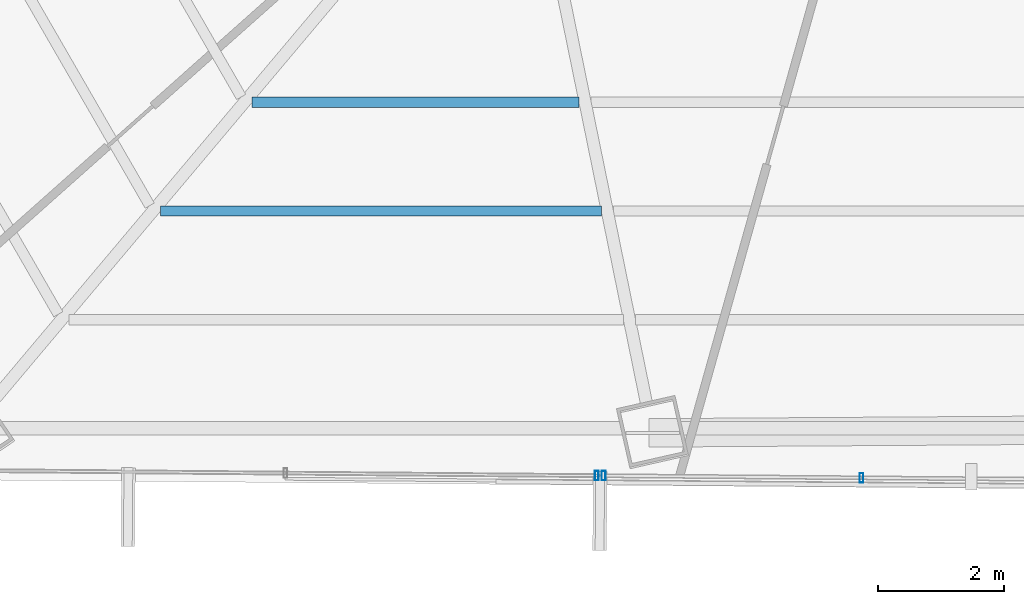
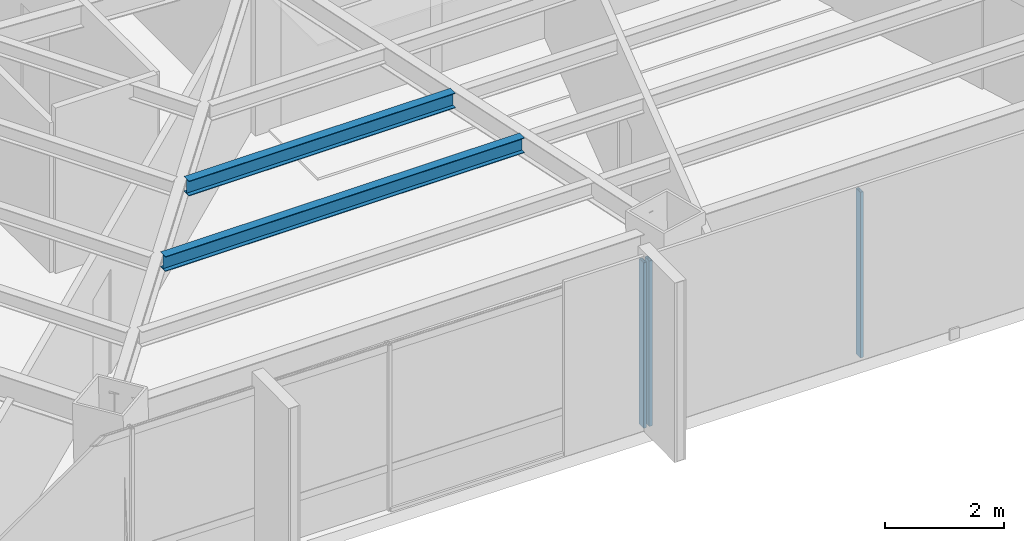
# One storey, part 8 of 39: 3 members, 2 beams, 2 elements without a shape of their own.
"""IFC4 building model written with IfcOpenShell, lengths in metres."""

import ifcopenshell
import ifcopenshell.guid

model = None  # the IFC model being written
_history = None  # IfcOwnerHistory: only IFC2X3 demands one
_inside = {}  # id of a spatial element -> (the spatial element, [elements in it])
_under = {}  # id of a project, library or spatial element -> (it, [spatial elements below it])
_declared = {}  # id of a project -> (the project, [libraries it declares])
_typed = {}  # id of a type object -> (the type object, [elements of that type])
_made_of = {}  # id of a material, layer set ... -> (it, [elements and type objects made of it])


def new_model(schema):
    """Start an empty IFC model of exactly this schema.

    Asked for "IFC4X3", IfcOpenShell would pick the latest addendum, in which some entities
    have other attributes; the version numbers below select the first issue.
    IFC2X3 requires an IfcOwnerHistory on every rooted entity: one is made here for all.
    """
    global model, _history
    if schema == "IFC4X3":
        model = ifcopenshell.file(schema_version=(4, 3, 0, 0))
    else:
        model = ifcopenshell.file(schema=schema)
    _inside.clear()
    _under.clear()
    _declared.clear()
    _typed.clear()
    _made_of.clear()
    _history = None
    if model.schema == "IFC2X3":
        org = make("IfcOrganization", Name="unknown")
        user = make(
            "IfcPersonAndOrganization",
            ThePerson=make("IfcPerson", FamilyName="unknown"),
            TheOrganization=org,
        )
        app = make(
            "IfcApplication",
            ApplicationDeveloper=org,
            Version="unknown",
            ApplicationFullName="unknown",
            ApplicationIdentifier="unknown",
        )
        _history = make(
            "IfcOwnerHistory",
            OwningUser=user,
            OwningApplication=app,
            ChangeAction="ADDED",
            CreationDate=0,
        )
    return model


def make(cls, **values):
    """One entity of the class cls with the attributes given. An attribute that is None is left unset."""
    return model.create_entity(
        cls, **{name: value for name, value in values.items() if value is not None}
    )


def rooted(cls, **values):
    """An entity with a GlobalId (a new one), such as an element, a storey or a relation."""
    return make(cls, GlobalId=ifcopenshell.guid.new(), OwnerHistory=_history, **values)


def si_unit(unit_type, name, prefix=None):
    """IfcSIUnit, for example si_unit("LENGTHUNIT", "METRE", prefix="MILLI")."""
    return make("IfcSIUnit", UnitType=unit_type, Prefix=prefix, Name=name)


def assignment(units):
    """IfcUnitAssignment: the units of a project."""
    return None if units is None else make("IfcUnitAssignment", Units=units)


def point(xyz):
    """IfcCartesianPoint."""
    return None if xyz is None else make("IfcCartesianPoint", Coordinates=xyz)


def direction(xyz):
    """IfcDirection."""
    return None if xyz is None else make("IfcDirection", DirectionRatios=xyz)


def frame(location, z_axis=None, x_axis=None):
    """IfcAxis2Placement3D, a coordinate frame: its origin and axes. An axis left out is left unset."""
    return make(
        "IfcAxis2Placement3D",
        Location=point(location),
        Axis=direction(z_axis),
        RefDirection=direction(x_axis),
    )


def frame_2d(location, x_axis=None):
    """IfcAxis2Placement2D, a coordinate frame in the plane: its origin and x axis."""
    return make(
        "IfcAxis2Placement2D", Location=point(location), RefDirection=direction(x_axis)
    )


def origin():
    """The frame at (0, 0, 0) with its axes left unset."""
    return frame((0.0, 0.0, 0.0))


def origin_2d():
    """The frame at (0, 0) in the plane with its x axis left unset."""
    return frame_2d((0.0, 0.0))


def place(relative_to, where):
    """IfcLocalPlacement: puts the frame where relative to a parent placement (None: the world)."""
    return make(
        "IfcLocalPlacement", PlacementRelTo=relative_to, RelativePlacement=where
    )


def context(
    kind, dimensions, precision=None, world=None, true_north=None, identifier=None
):
    """IfcGeometricRepresentationContext, for example the 3D "Model" context."""
    return make(
        "IfcGeometricRepresentationContext",
        ContextIdentifier=identifier,
        ContextType=kind,
        CoordinateSpaceDimension=dimensions,
        Precision=precision,
        WorldCoordinateSystem=world,
        TrueNorth=true_north,
    )


def subcontext(parent, identifier, kind, view, scale=None):
    """IfcGeometricRepresentationSubContext, for example "Body" below "Model"."""
    return make(
        "IfcGeometricRepresentationSubContext",
        ContextIdentifier=identifier,
        ContextType=kind,
        ParentContext=parent,
        TargetScale=scale,
        TargetView=view,
    )


def project(units=None, contexts=None):
    """IfcProject with its units and contexts."""
    return rooted(
        "IfcProject",
        Name="project",
        RepresentationContexts=contexts,
        UnitsInContext=assignment(units),
    )


def spatial(cls, under=None, at=None, **own):
    """A site, building, storey or space (cls), placed at a placement, below another one or the project."""
    s = rooted(cls, ObjectPlacement=at, **own)
    if under is not None:
        _under.setdefault(under.id(), (under, []))[1].append(s)
    return s


def profile(cls, at=None, kind="AREA", **sizes):
    """A parametric profile (cls). Its sizes go by their IFC names, for example OverallWidth=200.0."""
    return make(cls, ProfileType=kind, Position=at, **sizes)


def hollow_rectangle(**sizes):
    """IfcRectangleHollowProfileDef."""
    return profile("IfcRectangleHollowProfileDef", **sizes)


def i_section(**sizes):
    """IfcIShapeProfileDef."""
    return profile("IfcIShapeProfileDef", **sizes)


def extrude(swept, where, along, depth):
    """IfcExtrudedAreaSolid: the profile swept, set in the frame where, extruded along a direction by depth."""
    return make(
        "IfcExtrudedAreaSolid",
        SweptArea=swept,
        Position=where,
        ExtrudedDirection=direction(along),
        Depth=depth,
    )


def shape(context_of_items, identifier, shape_type, items):
    """IfcShapeRepresentation: the items that make up one representation, for example the "Body"."""
    return make(
        "IfcShapeRepresentation",
        ContextOfItems=context_of_items,
        RepresentationIdentifier=identifier,
        RepresentationType=shape_type,
        Items=items,
    )


def source(mapping_origin, context_of_items, identifier, shape_type, items):
    """IfcRepresentationMap: a shape defined once, which mapped items show again and again."""
    return make(
        "IfcRepresentationMap",
        MappingOrigin=mapping_origin,
        MappedRepresentation=shape(context_of_items, identifier, shape_type, items),
    )


def transform(
    local_origin,
    x_axis=None,
    y_axis=None,
    z_axis=None,
    scale=None,
    scale2=None,
    scale3=None,
    uniform=True,
):
    """IfcCartesianTransformationOperator3D, or its non-uniform kind. x_axis, y_axis, z_axis: its Axis1, 2, 3."""
    if uniform:
        return make(
            "IfcCartesianTransformationOperator3D",
            Axis1=direction(x_axis),
            Axis2=direction(y_axis),
            LocalOrigin=point(local_origin),
            Scale=scale,
            Axis3=direction(z_axis),
        )
    return make(
        "IfcCartesianTransformationOperator3DnonUniform",
        Axis1=direction(x_axis),
        Axis2=direction(y_axis),
        LocalOrigin=point(local_origin),
        Scale=scale,
        Axis3=direction(z_axis),
        Scale2=scale2,
        Scale3=scale3,
    )


def mapped(mapping_source, mapping_target):
    """IfcMappedItem: shows the shape of a source again, moved by a transform."""
    return make(
        "IfcMappedItem", MappingSource=mapping_source, MappingTarget=mapping_target
    )


def material(Name=None, Category=None):
    """IfcMaterial."""
    return make("IfcMaterial", Name=Name, Category=Category)


def material_profile(
    of_material, cross_section, Name=None, Category=None, Priority=None
):
    """IfcMaterialProfile: a cross section and its material."""
    return make(
        "IfcMaterialProfile",
        Name=Name,
        Material=of_material,
        Profile=cross_section,
        Priority=Priority,
        Category=Category,
    )


def profile_set(profiles, Name=None, composite=None):
    """IfcMaterialProfileSet."""
    return make(
        "IfcMaterialProfileSet",
        Name=Name,
        MaterialProfiles=profiles,
        CompositeProfile=composite,
    )


def made_of(thing, what):
    """Note that an element or type object is made of a material, layer set ...; save() writes the relation."""
    if what is not None:
        _made_of.setdefault(what.id(), (what, []))[1].append(thing)
    return thing


def type_object(cls, material=None, **own):
    """A type object (cls), such as IfcWallType, which elements share."""
    return made_of(rooted(cls, **own), material)


def type_shapes(of_type, sources):
    """Give a type object the sources (RepresentationMaps) that its elements show as mapped items."""
    of_type.RepresentationMaps = sources


def element(
    cls,
    number,
    at=None,
    inside=None,
    cuts=None,
    type_object=None,
    material=None,
    context=None,
    identifier="Body",
    shape_type=None,
    held_by="IfcProductDefinitionShape",
    body=None,
    shapes=None,
    **own,
):
    """One element of the class cls, such as IfcWall. Its Tag is "e" and its number.

    at: its placement. inside: the storey or other place that contains it. cuts: it is an
    opening in that element (IfcRelVoidsElement). A single representation is given by context,
    identifier, shape_type and body (its items); several are given by shapes. held_by: the class
    of the entity that holds the representations. save() writes the other relations.
    """
    e = rooted(cls, Tag="e%d" % number, ObjectPlacement=at, **own)
    if body is not None:
        shapes = [shape(context, identifier, shape_type, body)]
    if shapes is not None:
        e.Representation = make(held_by, Representations=shapes)
    if inside is not None:
        _inside.setdefault(inside.id(), (inside, []))[1].append(e)
    if cuts is not None:
        rooted(
            "IfcRelVoidsElement", RelatingBuildingElement=cuts, RelatedOpeningElement=e
        )
    if type_object is not None:
        _typed.setdefault(type_object.id(), (type_object, []))[1].append(e)
    return made_of(e, material)


def aggregate(whole, parts):
    """IfcRelAggregates: a whole, such as a stair, and the parts it consists of."""
    return rooted("IfcRelAggregates", RelatingObject=whole, RelatedObjects=parts)


def save(model, path):
    """Write the relations noted so far, then the file.

    IfcRelAggregates (storeys below a building ...), IfcRelContainedInSpatialStructure (elements
    in a storey), IfcRelDefinesByType, IfcRelAssociatesMaterial and IfcRelDeclares: one each for
    every whole, place, type object, material and project.
    """
    for whole, parts in _under.values():
        aggregate(whole, parts)
    for where, things in _inside.values():
        rooted(
            "IfcRelContainedInSpatialStructure",
            RelatedElements=things,
            RelatingStructure=where,
        )
    for kind, things in _typed.values():
        rooted("IfcRelDefinesByType", RelatedObjects=things, RelatingType=kind)
    for what, things in _made_of.values():
        rooted("IfcRelAssociatesMaterial", RelatedObjects=things, RelatingMaterial=what)
    for by, libraries in _declared.values():
        rooted("IfcRelDeclares", RelatingContext=by, RelatedDefinitions=libraries)
    model.write(path)


model = new_model("IFC4")

# Units and contexts
model_context = context("Model", 3, precision=1e-05, world=origin(), true_north=direction((0.0, 1.0)))
body_context = subcontext(model_context, "Body", "Model", "MODEL_VIEW")
ifc_project = project(units=[si_unit("LENGTHUNIT", "METRE"), si_unit("AREAUNIT", "SQUARE_METRE"), si_unit("VOLUMEUNIT", "CUBIC_METRE"), si_unit("PLANEANGLEUNIT", "RADIAN"), si_unit("MASSUNIT", "GRAM", prefix="KILO")], contexts=[model_context])

# Site, building, storey
site_placement = place(None, origin())
site = spatial("IfcSite", under=ifc_project, at=site_placement, CompositionType="ELEMENT")
building_placement = place(site_placement, origin())
building = spatial("IfcBuilding", under=site, at=building_placement, Name="Caelisora Broadcast Tower", CompositionType="ELEMENT")
storey_placement = place(building_placement, frame((0.0, 0.0, 139.10009765625)))
storey = spatial("IfcBuildingStorey", under=building, at=storey_placement, Name="L36", CompositionType="ELEMENT", Elevation=139.10009765625)

# Beams
ifc_material_1 = material(Name="Steel Grade 350 (AS/NZS 3679.1)", Category="steel")
ifc_material_profile_1 = material_profile(ifc_material_1, i_section(OverallWidth=0.166015625, OverallDepth=0.30712890625, WebThickness=0.006591796875, FlangeThickness=0.01171875, at=origin_2d()), Name="Steel Grade 350 (AS/NZS 3679.1)")
ifc_profile_set_1 = profile_set([ifc_material_profile_1], Name="Steel Grade 350 (AS/NZS 3679.1)")
beam_type = type_object("IfcBeamType", Name="SB03", PredefinedType="JOIST", material=ifc_profile_set_1)
shared_shape_1 = source(origin(), body_context, "Body", "SweptSolid", [
    extrude(i_section(OverallWidth=0.166015625, OverallDepth=0.30712890625, WebThickness=0.006591796875, FlangeThickness=0.01171875, at=origin_2d()), origin(), (0.0, 0.0, 1.0), 5.177978515625),
])
beam_1_placement = place(storey_placement, frame((26.2802734375, 12.240478515625, 3.246337890625), z_axis=(1.0, 0.0, 0.0), x_axis=(0.0, 1.0, 0.0)))
element("IfcBeam", 1, at=beam_1_placement, inside=storey, type_object=beam_type, Name="L36 beam SB03", PredefinedType="JOIST", context=body_context, shape_type="MappedRepresentation", body=[
    mapped(shared_shape_1, transform((0.0, 0.0, 0.0), scale=1.0)),
])
shared_shape_2 = source(origin(), body_context, "Body", "SweptSolid", [
    extrude(i_section(OverallWidth=0.166015625, OverallDepth=0.30712890625, WebThickness=0.006591796875, FlangeThickness=0.01171875, at=origin_2d()), origin(), (0.0, 0.0, 1.0), 6.97607421875),
])
type_shapes(beam_type, [shared_shape_1, shared_shape_2])
beam_2_placement = place(storey_placement, frame((24.8330078125, 10.5205078125, 3.246337890625), z_axis=(1.0, 0.0, 0.0), x_axis=(0.0, 1.0, 0.0)))
element("IfcBeam", 2, at=beam_2_placement, inside=storey, type_object=beam_type, Name="L36 beam SB03", PredefinedType="JOIST", context=body_context, shape_type="MappedRepresentation", body=[
    mapped(shared_shape_2, transform((0.0, 0.0, 0.0), scale=1.0)),
])

# Curtain wall, members
ifc_material_2 = material(Name="Unitised Aluminium Insulated Shadow-Box Spandrel Curtain Wall", Category="aluminium")
curtain_wall_type_1 = type_object("IfcCurtainWallType", Name="CW-SP2", PredefinedType="NOTDEFINED", material=ifc_material_2)
curtain_wall_1_placement = place(storey_placement, origin())
curtain_wall_1 = element("IfcCurtainWall", 3, at=curtain_wall_1_placement, inside=storey, type_object=curtain_wall_type_1, Name="L36 curtain wall CW-SP2", PredefinedType="NOTDEFINED")
ifc_material_3 = material(Name="Aluminium 6063-T6 Anodised Terracotta Bronze", Category="aluminium")
ifc_material_profile_2 = material_profile(ifc_material_3, hollow_rectangle(XDim=0.06005859375, YDim=0.14990234375, WallThickness=0.00341796875, at=origin_2d()), Name="Aluminium 6063-T6 Anodised Terracotta Bronze")
ifc_profile_set_2 = profile_set([ifc_material_profile_2], Name="Aluminium 6063-T6 Anodised Terracotta Bronze")
member_type = type_object("IfcMemberType", Name="CWM-03", PredefinedType="MULLION", material=ifc_profile_set_2)
shared_shape_3 = source(origin(), body_context, "Body", "SweptSolid", [
    extrude(hollow_rectangle(XDim=0.06005859375, YDim=0.14990234375, WallThickness=0.00341796875, at=origin_2d()), origin(), (0.0, 0.0, 1.0), 3.39990234375),
])
type_shapes(member_type, [shared_shape_3])
member_1_placement = place(storey_placement, frame((35.92822265625, 6.297119140625, 0.0), z_axis=(0.0, 0.0, 1.0), x_axis=(1.0, 0.0, 0.0)))
member_1 = element("IfcMember", 4, at=member_1_placement, type_object=member_type, Name="L36-CW-B06 mullion #2", PredefinedType="MULLION", context=body_context, shape_type="MappedRepresentation", body=[
    mapped(shared_shape_3, transform((0.0, 0.0, 0.0), scale=1.0)),
])
member_2_placement = place(storey_placement, frame((31.846435546875, 6.33056640625, 0.0), z_axis=(0.0, 0.0, 1.0), x_axis=(1.0, 0.0, 0.0)))
member_2 = element("IfcMember", 5, at=member_2_placement, type_object=member_type, Name="L36-CW-B06 mullion #3", PredefinedType="MULLION", context=body_context, shape_type="MappedRepresentation", body=[
    mapped(shared_shape_3, transform((0.0, 0.0, 0.0), scale=1.0)),
])
aggregate(curtain_wall_1, [member_1, member_2])

# Curtain wall, member
ifc_material_4 = material(Name="Unitised Aluminium and Low-E Glass Curtain Wall", Category="glass")
curtain_wall_type_2 = type_object("IfcCurtainWallType", Name="CW-Z3", PredefinedType="NOTDEFINED", material=ifc_material_4)
curtain_wall_2_placement = place(storey_placement, origin())
curtain_wall_2 = element("IfcCurtainWall", 6, at=curtain_wall_2_placement, inside=storey, type_object=curtain_wall_type_2, Name="L36 curtain wall CW-Z3", PredefinedType="NOTDEFINED")
member_3_placement = place(storey_placement, frame((31.736328125, 6.331298828125, 0.0), z_axis=(0.0, 0.0, 1.0), x_axis=(1.0, 0.0, 0.0)))
member_3 = element("IfcMember", 7, at=member_3_placement, type_object=member_type, Name="L36-CW-B07 mullion #0", PredefinedType="MULLION", context=body_context, shape_type="MappedRepresentation", body=[
    mapped(shared_shape_3, transform((0.0, 0.0, 0.0), scale=1.0)),
])
aggregate(curtain_wall_2, [member_3])

save(model, "model.ifc")
